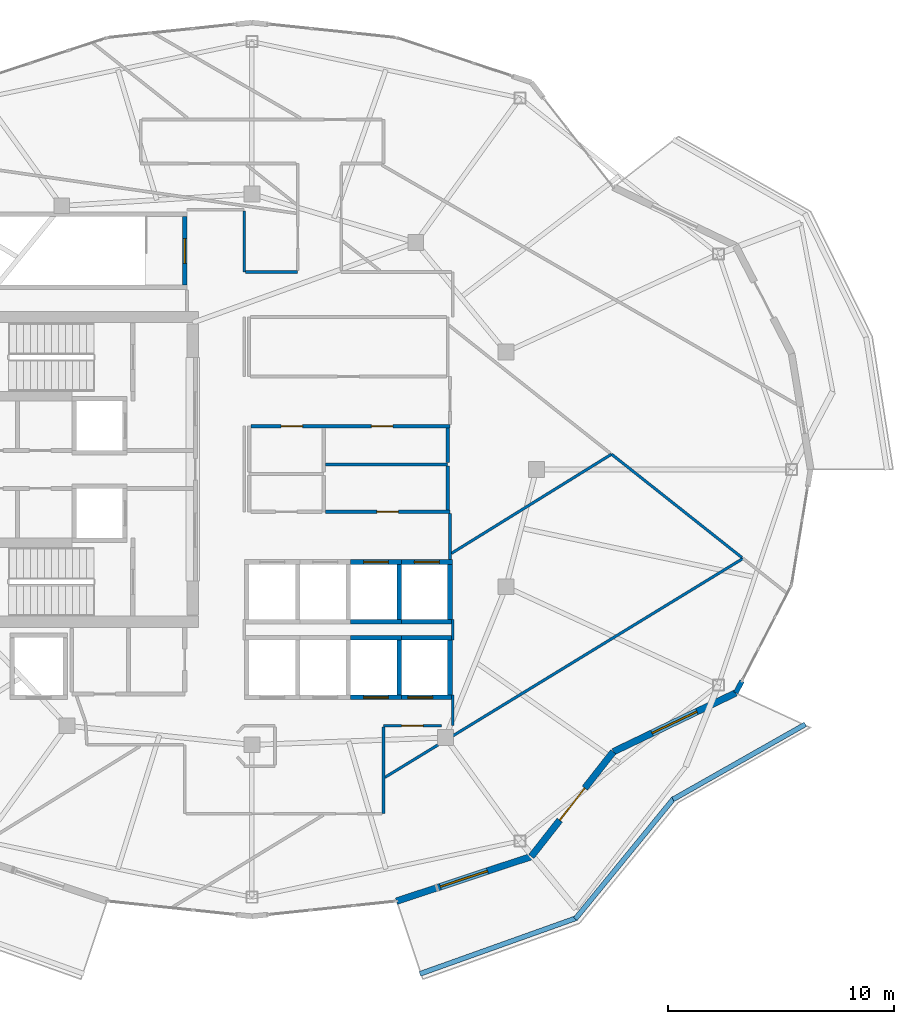
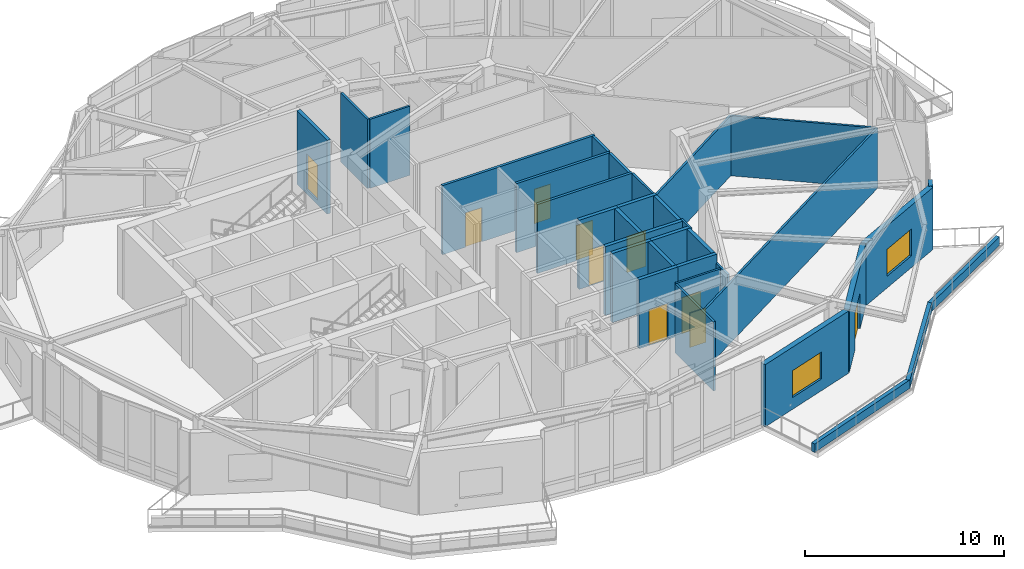
# One storey, part 11 of 15: 35 walls, 10 doors, 2 windows, 12 openings.
"""IFC4 building model written with IfcOpenShell, lengths in metres."""

from ifc_helpers import new_model, si_unit, direction, frame, frame_2d, origin, place, context, subcontext, project, spatial, rectangle, extrude, material, layer, layer_set, type_object, element, fill, save


model = new_model("IFC4")

# Units and contexts
model_context = context("Model", 3, precision=1e-05, world=origin(), true_north=direction((0.0, 1.0)))
body_context = subcontext(model_context, "Body", "Model", "MODEL_VIEW")
ifc_project = project(units=[si_unit("LENGTHUNIT", "METRE"), si_unit("AREAUNIT", "SQUARE_METRE"), si_unit("VOLUMEUNIT", "CUBIC_METRE"), si_unit("PLANEANGLEUNIT", "RADIAN"), si_unit("MASSUNIT", "GRAM", prefix="KILO")], contexts=[model_context])

# Site, building, storey
site_placement = place(None, origin())
site = spatial("IfcSite", under=ifc_project, at=site_placement, CompositionType="ELEMENT")
building_placement = place(site_placement, origin())
building = spatial("IfcBuilding", under=site, at=building_placement, Name="Kolvaren Gate Tower and Convention Centre", CompositionType="ELEMENT")
storey_placement = place(building_placement, frame((0.0, 0.0, 191.89990234375)))
storey = spatial("IfcBuildingStorey", under=building, at=storey_placement, Name="L50", CompositionType="ELEMENT", Elevation=191.89990234375)

# Walls
ifc_material_1 = material(Name="Fire-Rated Acoustic Gypsum Stud Partition", Category="gypsum")
ifc_layer_1 = layer(ifc_material_1, 0.1201171875)
ifc_layer_set_1 = layer_set([ifc_layer_1], Name="Fire-Rated Acoustic Gypsum Stud Partition")
wall_type_1 = type_object("IfcWallType", Name="ARCH-WL-PART-120", PredefinedType="PARTITIONING", material=ifc_layer_set_1)
wall_1_placement = place(storey_placement, frame((39.02001953125, 15.64990234375, 0.0), z_axis=(0.0, 0.0, 1.0), x_axis=(0.0, 1.0, 0.0)))
element("IfcWall", 1, at=wall_1_placement, inside=storey, type_object=wall_type_1, Name="Interior Partition WL-L50-INT-027", PredefinedType="PARTITIONING", context=body_context, shape_type="SweptSolid", body=[
    extrude(rectangle(XDim=1.360107421875, YDim=0.1201171875, at=frame_2d((0.68017578125, 0.0))), origin(), (0.0, 0.0, 1.0), 3.677978515625),
])
wall_2_placement = place(storey_placement, frame((39.02001953125, 19.43994140625, 0.0), z_axis=(0.0, 0.0, 1.0), x_axis=(0.0, 1.0, 0.0)))
element("IfcWall", 2, at=wall_2_placement, inside=storey, type_object=wall_type_1, Name="Interior Partition WL-L50-INT-027 (2)", PredefinedType="PARTITIONING", context=body_context, shape_type="SweptSolid", body=[
    extrude(rectangle(XDim=0.920166015625, YDim=0.1201171875, at=frame_2d((0.4599609375, 0.0))), origin(), (0.0, 0.0, 1.0), 4.22998046875),
])

# Wall, opening, door
wall_3_placement = place(storey_placement, frame((35.949951171875, 15.64990234375, 0.0), z_axis=(0.0, 0.0, 1.0), x_axis=(1.0, 0.0, 0.0)))
wall_3 = element("IfcWall", 3, at=wall_3_placement, inside=storey, type_object=wall_type_1, Name="Interior Partition WL-L50-INT-030", PredefinedType="PARTITIONING", context=body_context, shape_type="SweptSolid", body=[
    extrude(rectangle(XDim=2.568115234375, YDim=0.1201171875, at=frame_2d((1.2841796875, 0.0))), origin(), (0.0, 0.0, 1.0), 4.22998046875),
])
opening_1_placement = place(wall_3_placement, frame((0.80908203125, 0.0, 0.0)))
opening_1 = element("IfcOpeningElement", 4, at=opening_1_placement, cuts=wall_3, Name="Opening DR-01", PredefinedType="OPENING", context=body_context, shape_type="SweptSolid", body=[
    extrude(rectangle(XDim=0.949951171875, YDim=2.10009765625, at=frame_2d((0.47509765625, 1.050048828125))), frame((0.0, 0.070068359375, 0.0), z_axis=(0.0, -1.0, 0.0), x_axis=(1.0, 0.0, 0.0)), (0.0, 0.0, 1.0), 0.14013671875),
])
ifc_material_2 = material(Name="Painted Architectural Steelwork ASTM A500 Grade C 345 MPa", Category="steel")
door_type_1 = type_object("IfcDoorType", Name="ARCH-DR-RISER-950", OperationType="SINGLE_SWING_RIGHT", PredefinedType="DOOR", material=ifc_material_2)
door_1_placement = place(opening_1_placement, origin())
door_1 = element("IfcDoor", 5, at=door_1_placement, inside=storey, type_object=door_type_1, Name="Sky Syndicate Conference Room Door", OperationType="SINGLE_SWING_RIGHT", OverallHeight=2.10009765625, OverallWidth=0.949951171875, PredefinedType="DOOR", context=body_context, shape_type="SweptSolid", body=[
    extrude(rectangle(XDim=0.949951171875, YDim=2.10009765625, at=frame_2d((0.47509765625, 1.050048828125))), frame((0.0, 0.02490234375, 0.0), z_axis=(0.0, -1.0, 0.0), x_axis=(1.0, 0.0, 0.0)), (0.0, 0.0, 1.0), 0.050048828125),
])
fill(opening_1, door_1)

# Walls
wall_4_placement = place(storey_placement, frame((35.949951171875, 11.75, 0.0), z_axis=(0.0, 0.0, 1.0), x_axis=(0.0, 1.0, 0.0)))
element("IfcWall", 6, at=wall_4_placement, inside=storey, type_object=wall_type_1, Name="Interior Partition WL-L50-INT-031", PredefinedType="PARTITIONING", context=body_context, shape_type="SweptSolid", body=[
    extrude(rectangle(XDim=3.837890625, YDim=0.1201171875, at=frame_2d((1.9189453125, 0.0))), origin(), (0.0, 0.0, 1.0), 4.22998046875),
])
wall_5_placement = place(storey_placement, frame((29.780029296875, 35.75, 0.0), z_axis=(0.0, 0.0, 1.0), x_axis=(0.0, 1.0, 0.0)))
element("IfcWall", 7, at=wall_5_placement, inside=storey, type_object=wall_type_1, Name="Interior Partition WL-L50-INT-042", PredefinedType="PARTITIONING", context=body_context, shape_type="SweptSolid", body=[
    extrude(rectangle(XDim=2.68798828125, YDim=0.1201171875, at=frame_2d((1.343994140625, 0.0))), origin(), (0.0, 0.0, 1.0), 4.22998046875),
])
wall_6_placement = place(storey_placement, frame((29.842041015625, 35.75, 0.0), z_axis=(0.0, 0.0, 1.0), x_axis=(1.0, 0.0, 0.0)))
element("IfcWall", 8, at=wall_6_placement, inside=storey, type_object=wall_type_1, Name="Interior Partition WL-L50-INT-043", PredefinedType="PARTITIONING", context=body_context, shape_type="SweptSolid", body=[
    extrude(rectangle(XDim=2.307861328125, YDim=0.1201171875, at=frame_2d((1.15380859375, 0.0))), origin(), (0.0, 0.0, 1.0), 4.22998046875),
])
wall_7_placement = place(storey_placement, frame((38.89990234375, 23.02001953125, 0.0), z_axis=(0.0, 0.0, 1.0), x_axis=(0.0, 1.0, 0.0)))
element("IfcWall", 9, at=wall_7_placement, inside=storey, type_object=wall_type_1, Name="Interior Partition WL-L50-INT-051", PredefinedType="PARTITIONING", context=body_context, shape_type="SweptSolid", body=[
    extrude(rectangle(XDim=2.02294921875, YDim=0.1201171875, at=frame_2d((1.011474609375, 0.0))), origin(), (0.0, 0.0, 1.0), 4.22998046875),
])
wall_8_placement = place(storey_placement, frame((38.9619140625, 23.281494140625, 0.0), z_axis=(0.0, 0.0, 1.0), x_axis=(0.850146039188, 0.526546970415, 0.0)))
element("IfcWall", 10, at=wall_8_placement, inside=storey, type_object=wall_type_1, Name="Interior Partition WL-L50-INT-059", PredefinedType="PARTITIONING", context=body_context, shape_type="SweptSolid", body=[
    extrude(rectangle(XDim=8.344970703125, YDim=0.1201171875, at=frame_2d((4.17236328125, 0.0))), origin(), (0.0, 0.0, 1.0), 3.677978515625),
])
wall_9_placement = place(storey_placement, frame((36.011962890625, 13.35693359375, 0.0), z_axis=(0.0, 0.0, 1.0), x_axis=(0.853236403134, 0.521524343024, 0.0)))
element("IfcWall", 11, at=wall_9_placement, inside=storey, type_object=wall_type_1, Name="Interior Partition WL-L50-INT-061", PredefinedType="PARTITIONING", context=body_context, shape_type="SweptSolid", body=[
    extrude(rectangle(XDim=18.598876953125, YDim=0.1201171875, at=frame_2d((9.29931640625, 0.0))), origin(), (0.0, 0.0, 1.0), 3.677978515625),
])
wall_10_placement = place(storey_placement, frame((46.05859375, 27.672119140625, 0.0), z_axis=(0.0, 0.0, 1.0), x_axis=(0.783665181, -0.621183454455, 0.0)))
element("IfcWall", 12, at=wall_10_placement, inside=storey, type_object=wall_type_1, Name="Interior Partition WL-L50-INT-065 (2)", PredefinedType="PARTITIONING", context=body_context, shape_type="SweptSolid", body=[
    extrude(rectangle(XDim=7.364013671875, YDim=0.1201171875, at=frame_2d((3.68212890625, 0.0))), origin(), (0.0, 0.0, 1.0), 3.677978515625),
])
ifc_material_3 = material(Name="Bogota Sabana Bush-Hammered Sandstone Cladding", Category="masonry")
ifc_layer_2 = layer(ifc_material_3, 0.219970703125)
ifc_layer_set_2 = layer_set([ifc_layer_2], Name="Bogota Sabana Bush-Hammered Sandstone Cladding")
wall_type_2 = type_object("IfcWallType", Name="ARCH-WL-PIER-220", PredefinedType="SOLIDWALL", material=ifc_layer_set_2)
wall_11_placement = place(storey_placement, frame((51.55908203125, 17.10009765625, 0.0), z_axis=(0.0, 0.0, 1.0), x_axis=(0.459985611197, 0.887926369409, 0.0)))
element("IfcWall", 13, at=wall_11_placement, inside=storey, type_object=wall_type_2, Name="L50 Panoramic Structural Curtain Wall CW-22 Left Column Pier Wrap", PredefinedType="SOLIDWALL", context=body_context, shape_type="SweptSolid", body=[
    extrude(rectangle(XDim=0.601806640625, YDim=0.219970703125, at=frame_2d((0.30078125, 0.0))), origin(), (0.0, 0.0, 1.0), 3.80517578125),
])
ifc_material_4 = material(Name="Piedmont Cream Honed Limestone Cladding", Category="masonry")
ifc_layer_3 = layer(ifc_material_4, 0.219970703125)
ifc_layer_set_3 = layer_set([ifc_layer_3], Name="Piedmont Cream Honed Limestone Cladding")
wall_type_3 = type_object("IfcWallType", Name="ARCH-WL-PLANTER-220", PredefinedType="PARAPET", material=ifc_layer_set_3)
wall_12_placement = place(storey_placement, frame((37.564697265625, 4.65283203125, 0.0), z_axis=(0.0, 0.0, 1.0), x_axis=(0.941780086523, 0.336229488042, 0.0)))
element("IfcWall", 14, at=wall_12_placement, inside=storey, type_object=wall_type_3, Name="Vertical-Forest Balcony Stone Planter Kerb PK-L50-4.1", PredefinedType="PARAPET", context=body_context, shape_type="SweptSolid", body=[
    extrude(rectangle(XDim=7.3779296875, YDim=0.219970703125, at=frame_2d((3.68896484375, 0.0))), origin(), (0.0, 0.0, 1.0), 0.52001953125),
])
wall_13_placement = place(storey_placement, frame((44.4482421875, 7.087158203125, 0.0), z_axis=(0.0, 0.0, 1.0), x_axis=(0.632697312147, 0.774399193699, 0.0)))
element("IfcWall", 15, at=wall_13_placement, inside=storey, type_object=wall_type_3, Name="Vertical-Forest Balcony Stone Planter Kerb PK-L50-4.2", PredefinedType="PARAPET", context=body_context, shape_type="SweptSolid", body=[
    extrude(rectangle(XDim=6.9140625, YDim=0.219970703125, at=frame_2d((3.45703125, 0.0))), origin(), (0.0, 0.0, 1.0), 0.52001953125),
])
wall_14_placement = place(storey_placement, frame((48.7763671875, 12.38330078125, 0.0), z_axis=(0.0, 0.0, 1.0), x_axis=(0.869860619267, 0.493297580623, 0.0)))
element("IfcWall", 16, at=wall_14_placement, inside=storey, type_object=wall_type_3, Name="Vertical-Forest Balcony Stone Planter Kerb PK-L50-4.3", PredefinedType="PARAPET", context=body_context, shape_type="SweptSolid", body=[
    extrude(rectangle(XDim=6.74267578125, YDim=0.219970703125, at=frame_2d((3.371337890625, 0.0))), origin(), (0.0, 0.0, 1.0), 0.52001953125),
])
ifc_material_5 = material(Name="Autoclaved Aerated Masonry Blockwork Class 4 (4.0 MPa)", Category="masonry")
ifc_layer_4 = layer(ifc_material_5, 0.199951171875)
ifc_layer_set_4 = layer_set([ifc_layer_4], Name="Autoclaved Aerated Masonry Blockwork Class 4 (4.0 MPa)")
wall_type_4 = type_object("IfcWallType", Name="ARCH-WL-SHAFT-200", PredefinedType="SOLIDWALL", material=ifc_layer_set_4)
wall_15_placement = place(storey_placement, frame((34.5, 19.550048828125, 0.0), z_axis=(0.0, 0.0, 1.0), x_axis=(1.0, 0.0, 0.0)))
element("IfcWall", 17, at=wall_15_placement, inside=storey, type_object=wall_type_4, Name="Elevator PL-07 L50 Fire Shaft Wall N", PredefinedType="SOLIDWALL", context=body_context, shape_type="SweptSolid", body=[
    extrude(rectangle(XDim=2.25, YDim=0.199951171875, at=frame_2d((1.125, 0.0))), origin(), (0.0, 0.0, 1.0), 4.22998046875),
])

# Wall, opening, door
wall_16_placement = place(storey_placement, frame((34.5, 16.89990234375, 0.0), z_axis=(0.0, 0.0, 1.0), x_axis=(1.0, 0.0, 0.0)))
wall_16 = element("IfcWall", 18, at=wall_16_placement, inside=storey, type_object=wall_type_4, Name="Elevator PL-07 L50 Fire Shaft Wall S", PredefinedType="SOLIDWALL", context=body_context, shape_type="SweptSolid", body=[
    extrude(rectangle(XDim=2.25, YDim=0.199951171875, at=frame_2d((1.125, 0.0))), origin(), (0.0, 0.0, 1.0), 4.22998046875),
])
opening_2_placement = place(wall_16_placement, frame((0.574951171875, 0.0, 0.0)))
opening_2 = element("IfcOpeningElement", 19, at=opening_2_placement, cuts=wall_16, Name="Opening LD", PredefinedType="OPENING", context=body_context, shape_type="SweptSolid", body=[
    extrude(rectangle(XDim=1.10009765625, YDim=2.199951171875, at=frame_2d((0.550048828125, 1.10009765625))), frame((0.0, 0.10986328125, 0.0), z_axis=(0.0, -1.0, 0.0), x_axis=(1.0, 0.0, 0.0)), (0.0, 0.0, 1.0), 0.219970703125),
])
ifc_material_6 = material(Name="Brushed Stainless Steel Grade 316L", Category="steel")
door_type_2 = type_object("IfcDoorType", Name="ARCH-DR-LIFT-1100", OperationType="SLIDING_TO_LEFT", PredefinedType="DOOR", material=ifc_material_6)
door_2_placement = place(opening_2_placement, origin())
door_2 = element("IfcDoor", 20, at=door_2_placement, inside=storey, type_object=door_type_2, Name="Elevator PL-07 L50 Sliding Landing Door", OperationType="SLIDING_TO_LEFT", OverallHeight=2.199951171875, OverallWidth=1.10009765625, PredefinedType="DOOR", context=body_context, shape_type="SweptSolid", body=[
    extrude(rectangle(XDim=1.10009765625, YDim=2.199951171875, at=frame_2d((0.550048828125, 1.10009765625))), frame((0.0, 0.02490234375, 0.0), z_axis=(0.0, -1.0, 0.0), x_axis=(1.0, 0.0, 0.0)), (0.0, 0.0, 1.0), 0.050048828125),
])
fill(opening_2, door_2)

# Walls
wall_17_placement = place(storey_placement, frame((36.64990234375, 17.010009765625, 0.0), z_axis=(0.0, 0.0, 1.0), x_axis=(0.0, 1.0, 0.0)))
element("IfcWall", 21, at=wall_17_placement, inside=storey, type_object=wall_type_4, Name="Elevator PL-07 L50 Fire Shaft Wall E", PredefinedType="SOLIDWALL", context=body_context, shape_type="SweptSolid", body=[
    extrude(rectangle(XDim=2.429931640625, YDim=0.199951171875, at=frame_2d((1.21484375, 0.0))), origin(), (0.0, 0.0, 1.0), 4.22998046875),
])
wall_18_placement = place(storey_placement, frame((36.75, 19.550048828125, 0.0), z_axis=(0.0, 0.0, 1.0), x_axis=(1.0, 0.0, 0.0)))
element("IfcWall", 22, at=wall_18_placement, inside=storey, type_object=wall_type_4, Name="Elevator PL-08 L50 Fire Shaft Wall N", PredefinedType="SOLIDWALL", context=body_context, shape_type="SweptSolid", body=[
    extrude(rectangle(XDim=2.25, YDim=0.199951171875, at=frame_2d((1.125, 0.0))), origin(), (0.0, 0.0, 1.0), 4.22998046875),
])

# Wall, opening, door
wall_19_placement = place(storey_placement, frame((36.75, 16.89990234375, 0.0), z_axis=(0.0, 0.0, 1.0), x_axis=(1.0, 0.0, 0.0)))
wall_19 = element("IfcWall", 23, at=wall_19_placement, inside=storey, type_object=wall_type_4, Name="Elevator PL-08 L50 Fire Shaft Wall S", PredefinedType="SOLIDWALL", context=body_context, shape_type="SweptSolid", body=[
    extrude(rectangle(XDim=2.25, YDim=0.199951171875, at=frame_2d((1.125, 0.0))), origin(), (0.0, 0.0, 1.0), 4.22998046875),
])
opening_3_placement = place(wall_19_placement, frame((0.280029296875, 0.0, 0.0)))
opening_3 = element("IfcOpeningElement", 24, at=opening_3_placement, cuts=wall_19, Name="Opening LD", PredefinedType="OPENING", context=body_context, shape_type="SweptSolid", body=[
    extrude(rectangle(XDim=1.10009765625, YDim=2.199951171875, at=frame_2d((0.550048828125, 1.10009765625))), frame((0.0, 0.10986328125, 0.0), z_axis=(0.0, -1.0, 0.0), x_axis=(1.0, 0.0, 0.0)), (0.0, 0.0, 1.0), 0.219970703125),
])
door_3_placement = place(opening_3_placement, origin())
door_3 = element("IfcDoor", 25, at=door_3_placement, inside=storey, type_object=door_type_2, Name="Elevator PL-08 L50 Sliding Landing Door", OperationType="SLIDING_TO_LEFT", OverallHeight=2.199951171875, OverallWidth=1.10009765625, PredefinedType="DOOR", context=body_context, shape_type="SweptSolid", body=[
    extrude(rectangle(XDim=1.10009765625, YDim=2.199951171875, at=frame_2d((0.550048828125, 1.10009765625))), frame((0.0, 0.02490234375, 0.0), z_axis=(0.0, -1.0, 0.0), x_axis=(1.0, 0.0, 0.0)), (0.0, 0.0, 1.0), 0.050048828125),
])
fill(opening_3, door_3)

# Wall
wall_20_placement = place(storey_placement, frame((38.89990234375, 17.010009765625, 0.0), z_axis=(0.0, 0.0, 1.0), x_axis=(0.0, 1.0, 0.0)))
element("IfcWall", 26, at=wall_20_placement, inside=storey, type_object=wall_type_4, Name="Elevator PL-08 L50 Fire Shaft Wall E", PredefinedType="SOLIDWALL", context=body_context, shape_type="SweptSolid", body=[
    extrude(rectangle(XDim=2.429931640625, YDim=0.199951171875, at=frame_2d((1.21484375, 0.0))), origin(), (0.0, 0.0, 1.0), 4.22998046875),
])

# Wall, opening, door
wall_21_placement = place(storey_placement, frame((34.5, 22.89990234375, 0.0), z_axis=(0.0, 0.0, 1.0), x_axis=(1.0, 0.0, 0.0)))
wall_21 = element("IfcWall", 27, at=wall_21_placement, inside=storey, type_object=wall_type_4, Name="Elevator PL-11 L50 Fire Shaft Wall N", PredefinedType="SOLIDWALL", context=body_context, shape_type="SweptSolid", body=[
    extrude(rectangle(XDim=2.25, YDim=0.199951171875, at=frame_2d((1.125, 0.0))), origin(), (0.0, 0.0, 1.0), 4.22998046875),
])
opening_4_placement = place(wall_21_placement, frame((0.574951171875, 0.0, 0.0)))
opening_4 = element("IfcOpeningElement", 28, at=opening_4_placement, cuts=wall_21, Name="Opening LD", PredefinedType="OPENING", context=body_context, shape_type="SweptSolid", body=[
    extrude(rectangle(XDim=1.10009765625, YDim=2.199951171875, at=frame_2d((0.550048828125, 1.10009765625))), frame((0.0, 0.10986328125, 0.0), z_axis=(0.0, -1.0, 0.0), x_axis=(1.0, 0.0, 0.0)), (0.0, 0.0, 1.0), 0.219970703125),
])
door_4_placement = place(opening_4_placement, origin())
door_4 = element("IfcDoor", 29, at=door_4_placement, inside=storey, type_object=door_type_2, Name="Elevator PL-11 L50 Sliding Landing Door", OperationType="SLIDING_TO_LEFT", OverallHeight=2.199951171875, OverallWidth=1.10009765625, PredefinedType="DOOR", context=body_context, shape_type="SweptSolid", body=[
    extrude(rectangle(XDim=1.10009765625, YDim=2.199951171875, at=frame_2d((0.550048828125, 1.10009765625))), frame((0.0, 0.02490234375, 0.0), z_axis=(0.0, -1.0, 0.0), x_axis=(1.0, 0.0, 0.0)), (0.0, 0.0, 1.0), 0.050048828125),
])
fill(opening_4, door_4)

# Walls
wall_22_placement = place(storey_placement, frame((34.5, 20.25, 0.0), z_axis=(0.0, 0.0, 1.0), x_axis=(1.0, 0.0, 0.0)))
element("IfcWall", 30, at=wall_22_placement, inside=storey, type_object=wall_type_4, Name="Elevator PL-11 L50 Fire Shaft Wall S", PredefinedType="SOLIDWALL", context=body_context, shape_type="SweptSolid", body=[
    extrude(rectangle(XDim=2.25, YDim=0.199951171875, at=frame_2d((1.125, 0.0))), origin(), (0.0, 0.0, 1.0), 4.22998046875),
])
wall_23_placement = place(storey_placement, frame((36.64990234375, 20.360107421875, 0.0), z_axis=(0.0, 0.0, 1.0), x_axis=(0.0, 1.0, 0.0)))
element("IfcWall", 31, at=wall_23_placement, inside=storey, type_object=wall_type_4, Name="Elevator PL-11 L50 Fire Shaft Wall E", PredefinedType="SOLIDWALL", context=body_context, shape_type="SweptSolid", body=[
    extrude(rectangle(XDim=2.429931640625, YDim=0.199951171875, at=frame_2d((1.21484375, 0.0))), origin(), (0.0, 0.0, 1.0), 4.22998046875),
])

# Wall, opening, door
wall_24_placement = place(storey_placement, frame((36.75, 22.89990234375, 0.0), z_axis=(0.0, 0.0, 1.0), x_axis=(1.0, 0.0, 0.0)))
wall_24 = element("IfcWall", 32, at=wall_24_placement, inside=storey, type_object=wall_type_4, Name="Elevator PL-12 L50 Fire Shaft Wall N", PredefinedType="SOLIDWALL", context=body_context, shape_type="SweptSolid", body=[
    extrude(rectangle(XDim=2.25, YDim=0.199951171875, at=frame_2d((1.125, 0.0))), origin(), (0.0, 0.0, 1.0), 4.22998046875),
])
opening_5_placement = place(wall_24_placement, frame((0.574951171875, 0.0, 0.0)))
opening_5 = element("IfcOpeningElement", 33, at=opening_5_placement, cuts=wall_24, Name="Opening LD", PredefinedType="OPENING", context=body_context, shape_type="SweptSolid", body=[
    extrude(rectangle(XDim=1.10009765625, YDim=2.199951171875, at=frame_2d((0.550048828125, 1.10009765625))), frame((0.0, 0.10986328125, 0.0), z_axis=(0.0, -1.0, 0.0), x_axis=(1.0, 0.0, 0.0)), (0.0, 0.0, 1.0), 0.219970703125),
])
door_5_placement = place(opening_5_placement, origin())
door_5 = element("IfcDoor", 34, at=door_5_placement, inside=storey, type_object=door_type_2, Name="Elevator PL-12 L50 Sliding Landing Door", OperationType="SLIDING_TO_LEFT", OverallHeight=2.199951171875, OverallWidth=1.10009765625, PredefinedType="DOOR", context=body_context, shape_type="SweptSolid", body=[
    extrude(rectangle(XDim=1.10009765625, YDim=2.199951171875, at=frame_2d((0.550048828125, 1.10009765625))), frame((0.0, 0.02490234375, 0.0), z_axis=(0.0, -1.0, 0.0), x_axis=(1.0, 0.0, 0.0)), (0.0, 0.0, 1.0), 0.050048828125),
])
fill(opening_5, door_5)

# Walls
wall_25_placement = place(storey_placement, frame((36.75, 20.25, 0.0), z_axis=(0.0, 0.0, 1.0), x_axis=(1.0, 0.0, 0.0)))
element("IfcWall", 35, at=wall_25_placement, inside=storey, type_object=wall_type_4, Name="Elevator PL-12 L50 Fire Shaft Wall S", PredefinedType="SOLIDWALL", context=body_context, shape_type="SweptSolid", body=[
    extrude(rectangle(XDim=2.25, YDim=0.199951171875, at=frame_2d((1.125, 0.0))), origin(), (0.0, 0.0, 1.0), 4.22998046875),
])
wall_26_placement = place(storey_placement, frame((38.89990234375, 20.360107421875, 0.0), z_axis=(0.0, 0.0, 1.0), x_axis=(0.0, 1.0, 0.0)))
element("IfcWall", 36, at=wall_26_placement, inside=storey, type_object=wall_type_4, Name="Elevator PL-12 L50 Fire Shaft Wall E", PredefinedType="SOLIDWALL", context=body_context, shape_type="SweptSolid", body=[
    extrude(rectangle(XDim=2.429931640625, YDim=0.199951171875, at=frame_2d((1.21484375, 0.0))), origin(), (0.0, 0.0, 1.0), 4.22998046875),
])

# Wall, opening, window
ifc_layer_5 = layer(ifc_material_4, 0.300048828125)
ifc_layer_set_5 = layer_set([ifc_layer_5], Name="Piedmont Cream Honed Limestone Cladding")
wall_type_5 = type_object("IfcWallType", Name="ARCH-WL-STONE-300", PredefinedType="SOLIDWALL", material=ifc_layer_set_5)
wall_27_placement = place(storey_placement, frame((36.53076171875, 7.874755859375, 0.0), z_axis=(0.0, 0.0, 1.0), x_axis=(0.949240877604, 0.314550085495, 0.0)))
wall_27 = element("IfcWall", 37, at=wall_27_placement, inside=storey, type_object=wall_type_5, Name="Tower L50 Honed Stone Spandrel Wall EW-19", PredefinedType="SOLIDWALL", context=body_context, shape_type="SweptSolid", body=[
    extrude(rectangle(XDim=6.288330078125, YDim=0.300048828125, at=frame_2d((3.14404296875, 0.0))), origin(), (0.0, 0.0, 1.0), 3.80517578125),
])
opening_6_placement = place(wall_27_placement, frame((2.0439453125, 0.0, 0.719970703125)))
opening_6 = element("IfcOpeningElement", 38, at=opening_6_placement, cuts=wall_27, Name="Opening W-03", PredefinedType="OPENING", context=body_context, shape_type="SweptSolid", body=[
    extrude(rectangle(XDim=2.199951171875, YDim=1.64990234375, at=frame_2d((1.10009765625, 0.824951171875))), frame((0.0, 0.159912109375, 0.0), z_axis=(0.0, -1.0, 0.0), x_axis=(1.0, 0.0, 0.0)), (0.0, 0.0, 1.0), 0.320068359375),
])
ifc_material_7 = material(Name="Low-E Triple Insulated Glazing Unit 44 mm", Category="glass")
window_type = type_object("IfcWindowType", Name="ARCH-WN-RES-2200", PartitioningType="SINGLE_PANEL", PredefinedType="WINDOW", material=ifc_material_7)
window_1_placement = place(opening_6_placement, origin())
window_1 = element("IfcWindow", 39, at=window_1_placement, inside=storey, type_object=window_type, Name="Tower L50 Punched Stone Facade Window W-19", OverallHeight=1.64990234375, OverallWidth=2.199951171875, PartitioningType="SINGLE_PANEL", PredefinedType="WINDOW", context=body_context, shape_type="SweptSolid", body=[
    extrude(rectangle(XDim=2.199951171875, YDim=1.64990234375, at=frame_2d((1.10009765625, 0.824951171875))), frame((0.0, 0.030029296875, 0.0), z_axis=(0.0, -1.0, 0.0), x_axis=(1.0, 0.0, 0.0)), (0.0, 0.0, 1.0), 0.06005859375),
])
fill(opening_6, window_1)

# Wall, opening, door
wall_28_placement = place(storey_placement, frame((42.5, 9.852783203125, 0.0), z_axis=(0.0, 0.0, 1.0), x_axis=(0.616450126935, 0.787393955401, 0.0)))
wall_28 = element("IfcWall", 40, at=wall_28_placement, inside=storey, type_object=wall_type_5, Name="Tower L50 Honed Stone Spandrel Wall EW-20", PredefinedType="SOLIDWALL", context=body_context, shape_type="SweptSolid", body=[
    extrude(rectangle(XDim=5.892822265625, YDim=0.300048828125, at=frame_2d((2.9462890625, 0.0))), origin(), (0.0, 0.0, 1.0), 3.80517578125),
])
opening_7_placement = place(wall_28_placement, frame((2.0458984375, 0.0, 0.0)))
opening_7 = element("IfcOpeningElement", 41, at=opening_7_placement, cuts=wall_28, Name="Opening DB-01", PredefinedType="OPENING", context=body_context, shape_type="SweptSolid", body=[
    extrude(rectangle(XDim=1.800048828125, YDim=2.25, at=frame_2d((0.89990234375, 1.125))), frame((0.0, 0.159912109375, 0.0), z_axis=(0.0, -1.0, 0.0), x_axis=(1.0, 0.0, 0.0)), (0.0, 0.0, 1.0), 0.320068359375),
])
ifc_material_8 = material(Name="Anodized Architectural Aluminium Alloy 6063-T6", Category="aluminium")
door_type_3 = type_object("IfcDoorType", Name="ARCH-DR-BALC-1800", OperationType="SLIDING_TO_LEFT", PredefinedType="DOOR", material=ifc_material_8)
door_6_placement = place(opening_7_placement, frame((1.800048828125, 0.0, 0.0), z_axis=(0.0, 0.0, 1.0), x_axis=(-1.0, 0.0, 0.0)))
door_6 = element("IfcDoor", 42, at=door_6_placement, inside=storey, type_object=door_type_3, Name="Planted Sky Terrace Access Door DB-L50-20", OperationType="SLIDING_TO_LEFT", OverallHeight=2.25, OverallWidth=1.800048828125, PredefinedType="DOOR", context=body_context, shape_type="SweptSolid", body=[
    extrude(rectangle(XDim=1.800048828125, YDim=2.25, at=frame_2d((0.89990234375, 1.125))), frame((0.0, 0.02490234375, 0.0), z_axis=(0.0, -1.0, 0.0), x_axis=(1.0, 0.0, 0.0)), (0.0, 0.0, 1.0), 0.050048828125),
])
fill(opening_7, door_6)

# Wall, opening, window
wall_29_placement = place(storey_placement, frame((46.132568359375, 14.49267578125, 0.0), z_axis=(0.0, 0.0, 1.0), x_axis=(0.901348331142, 0.433094892545, 0.0)))
wall_29 = element("IfcWall", 43, at=wall_29_placement, inside=storey, type_object=wall_type_5, Name="Tower L50 Honed Stone Spandrel Wall EW-21", PredefinedType="SOLIDWALL", context=body_context, shape_type="SweptSolid", body=[
    extrude(rectangle(XDim=6.0205078125, YDim=0.300048828125, at=frame_2d((3.01025390625, 0.0))), origin(), (0.0, 0.0, 1.0), 3.80517578125),
])
opening_8_placement = place(wall_29_placement, frame((1.909912109375, 0.0, 0.719970703125)))
opening_8 = element("IfcOpeningElement", 44, at=opening_8_placement, cuts=wall_29, Name="Opening W-03", PredefinedType="OPENING", context=body_context, shape_type="SweptSolid", body=[
    extrude(rectangle(XDim=2.199951171875, YDim=1.64990234375, at=frame_2d((1.10009765625, 0.824951171875))), frame((0.0, 0.159912109375, 0.0), z_axis=(0.0, -1.0, 0.0), x_axis=(1.0, 0.0, 0.0)), (0.0, 0.0, 1.0), 0.320068359375),
])
window_2_placement = place(opening_8_placement, origin())
window_2 = element("IfcWindow", 45, at=window_2_placement, inside=storey, type_object=window_type, Name="Tower L50 Punched Stone Facade Window W-21", OverallHeight=1.64990234375, OverallWidth=2.199951171875, PartitioningType="SINGLE_PANEL", PredefinedType="WINDOW", context=body_context, shape_type="SweptSolid", body=[
    extrude(rectangle(XDim=2.199951171875, YDim=1.64990234375, at=frame_2d((1.10009765625, 0.824951171875))), frame((0.0, 0.030029296875, 0.0), z_axis=(0.0, -1.0, 0.0), x_axis=(1.0, 0.0, 0.0)), (0.0, 0.0, 1.0), 0.06005859375),
])
fill(opening_8, window_2)

# Wall, openings, doors
ifc_material_9 = material(Name="Moisture-Resistant Cement-Board Acoustic Partition", Category="gypsum")
ifc_layer_6 = layer(ifc_material_9, 0.14990234375)
ifc_layer_set_6 = layer_set([ifc_layer_6], Name="Moisture-Resistant Cement-Board Acoustic Partition")
wall_type_6 = type_object("IfcWallType", Name="ARCH-WL-WET-150", PredefinedType="PARTITIONING", material=ifc_layer_set_6)
wall_30_placement = place(storey_placement, frame((30.076904296875, 28.919921875, 0.0), z_axis=(0.0, 0.0, 1.0), x_axis=(1.0, 0.0, 0.0)))
wall_30 = element("IfcWall", 46, at=wall_30_placement, inside=storey, type_object=wall_type_6, Name="Interior Partition WL-L50-INT-019", PredefinedType="PARTITIONING", context=body_context, shape_type="SweptSolid", body=[
    extrude(rectangle(XDim=8.822998046875, YDim=0.14990234375, at=frame_2d((4.41162109375, 0.0))), origin(), (0.0, 0.0, 1.0), 4.22998046875),
])
opening_9_placement = place(wall_30_placement, frame((1.341552734375, 0.0, 0.0)))
opening_9 = element("IfcOpeningElement", 47, at=opening_9_placement, cuts=wall_30, Name="Opening DR-01", PredefinedType="OPENING", context=body_context, shape_type="SweptSolid", body=[
    extrude(rectangle(XDim=0.949951171875, YDim=2.10009765625, at=frame_2d((0.47509765625, 1.050048828125))), frame((0.0, 0.0849609375, 0.0), z_axis=(0.0, -1.0, 0.0), x_axis=(1.0, 0.0, 0.0)), (0.0, 0.0, 1.0), 0.169921875),
])
opening_10_placement = place(wall_30_placement, frame((5.343017578125, 0.0, 0.0)))
opening_10 = element("IfcOpeningElement", 48, at=opening_10_placement, cuts=wall_30, Name="Opening DR-01", PredefinedType="OPENING", context=body_context, shape_type="SweptSolid", body=[
    extrude(rectangle(XDim=0.949951171875, YDim=2.10009765625, at=frame_2d((0.47509765625, 1.050048828125))), frame((0.0, 0.0849609375, 0.0), z_axis=(0.0, -1.0, 0.0), x_axis=(1.0, 0.0, 0.0)), (0.0, 0.0, 1.0), 0.169921875),
])
door_7_placement = place(opening_9_placement, origin())
door_7 = element("IfcDoor", 49, at=door_7_placement, inside=storey, type_object=door_type_1, Name="Accessible North Washroom Door", OperationType="SINGLE_SWING_RIGHT", OverallHeight=2.10009765625, OverallWidth=0.949951171875, PredefinedType="DOOR", context=body_context, shape_type="SweptSolid", body=[
    extrude(rectangle(XDim=0.949951171875, YDim=2.10009765625, at=frame_2d((0.47509765625, 1.050048828125))), frame((0.0, 0.02490234375, 0.0), z_axis=(0.0, -1.0, 0.0), x_axis=(1.0, 0.0, 0.0)), (0.0, 0.0, 1.0), 0.050048828125),
])
fill(opening_9, door_7)
door_8_placement = place(opening_10_placement, origin())
door_8 = element("IfcDoor", 50, at=door_8_placement, inside=storey, type_object=door_type_1, Name="Floor Janitor and Supply Store Door", OperationType="SINGLE_SWING_RIGHT", OverallHeight=2.10009765625, OverallWidth=0.949951171875, PredefinedType="DOOR", context=body_context, shape_type="SweptSolid", body=[
    extrude(rectangle(XDim=0.949951171875, YDim=2.10009765625, at=frame_2d((0.47509765625, 1.050048828125))), frame((0.0, 0.02490234375, 0.0), z_axis=(0.0, -1.0, 0.0), x_axis=(1.0, 0.0, 0.0)), (0.0, 0.0, 1.0), 0.050048828125),
])
fill(opening_10, door_8)

# Wall, opening, door
wall_31_placement = place(storey_placement, frame((33.376953125, 25.1201171875, 0.0), z_axis=(0.0, 0.0, 1.0), x_axis=(1.0, 0.0, 0.0)))
wall_31 = element("IfcWall", 51, at=wall_31_placement, inside=storey, type_object=wall_type_6, Name="Interior Partition WL-L50-INT-021 (2)", PredefinedType="PARTITIONING", context=body_context, shape_type="SweptSolid", body=[
    extrude(rectangle(XDim=5.52294921875, YDim=0.14990234375, at=frame_2d((2.761474609375, 0.0))), origin(), (0.0, 0.0, 1.0), 4.22998046875),
])
opening_11_placement = place(wall_31_placement, frame((2.28662109375, 0.0, 0.0)))
opening_11 = element("IfcOpeningElement", 52, at=opening_11_placement, cuts=wall_31, Name="Opening DR-01", PredefinedType="OPENING", context=body_context, shape_type="SweptSolid", body=[
    extrude(rectangle(XDim=0.949951171875, YDim=2.10009765625, at=frame_2d((0.47509765625, 1.050048828125))), frame((0.0, 0.0849609375, 0.0), z_axis=(0.0, -1.0, 0.0), x_axis=(1.0, 0.0, 0.0)), (0.0, 0.0, 1.0), 0.169921875),
])
door_9_placement = place(opening_11_placement, origin())
door_9 = element("IfcDoor", 53, at=door_9_placement, inside=storey, type_object=door_type_1, Name="Floor Coffee Pantry Door", OperationType="SINGLE_SWING_LEFT", OverallHeight=2.10009765625, OverallWidth=0.949951171875, PredefinedType="DOOR", context=body_context, shape_type="SweptSolid", body=[
    extrude(rectangle(XDim=0.949951171875, YDim=2.10009765625, at=frame_2d((0.47509765625, 1.050048828125))), frame((0.0, 0.02490234375, 0.0), z_axis=(0.0, -1.0, 0.0), x_axis=(1.0, 0.0, 0.0)), (0.0, 0.0, 1.0), 0.050048828125),
])
fill(opening_11, door_9)

# Walls
wall_32_placement = place(storey_placement, frame((33.376953125, 27.219970703125, 0.0), z_axis=(0.0, 0.0, 1.0), x_axis=(1.0, 0.0, 0.0)))
element("IfcWall", 54, at=wall_32_placement, inside=storey, type_object=wall_type_6, Name="Interior Partition WL-L50-INT-022", PredefinedType="PARTITIONING", context=body_context, shape_type="SweptSolid", body=[
    extrude(rectangle(XDim=5.423095703125, YDim=0.14990234375, at=frame_2d((2.71142578125, 0.0))), origin(), (0.0, 0.0, 1.0), 4.22998046875),
])
wall_33_placement = place(storey_placement, frame((38.800048828125, 25.197021484375, 0.0), z_axis=(0.0, 0.0, 1.0), x_axis=(0.0, 1.0, 0.0)))
element("IfcWall", 55, at=wall_33_placement, inside=storey, type_object=wall_type_6, Name="Interior Partition WL-L50-INT-023", PredefinedType="PARTITIONING", context=body_context, shape_type="SweptSolid", body=[
    extrude(rectangle(XDim=1.946044921875, YDim=0.14990234375, at=frame_2d((0.97314453125, 0.0))), origin(), (0.0, 0.0, 1.0), 4.22998046875),
])
wall_34_placement = place(storey_placement, frame((38.800048828125, 27.297119140625, 0.0), z_axis=(0.0, 0.0, 1.0), x_axis=(0.0, 1.0, 0.0)))
element("IfcWall", 56, at=wall_34_placement, inside=storey, type_object=wall_type_6, Name="Interior Partition WL-L50-INT-023 (2)", PredefinedType="PARTITIONING", context=body_context, shape_type="SweptSolid", body=[
    extrude(rectangle(XDim=1.5458984375, YDim=0.14990234375, at=frame_2d((0.77294921875, 0.0))), origin(), (0.0, 0.0, 1.0), 4.22998046875),
])

# Wall, opening, door
ifc_material_10 = material(Name="Concrete C50/60", Category="concrete")
ifc_layer_7 = layer(ifc_material_10, 0.199951171875)
ifc_layer_set_7 = layer_set([ifc_layer_7], Name="Concrete C50/60")
wall_type_7 = type_object("IfcWallType", Name="STR-WL-SHAFT-200", PredefinedType="SHEAR", material=ifc_layer_set_7)
wall_35_placement = place(storey_placement, frame((27.14990234375, 35.159912109375, -0.27978515625), z_axis=(0.0, 0.0, 1.0), x_axis=(0.0, 1.0, 0.0)))
wall_35 = element("IfcWall", 57, at=wall_35_placement, inside=storey, type_object=wall_type_7, Name="Tower Mid-Zone Exit Stair ST-T3 L50 Structural Shear Enclosure Wall NEAR", PredefinedType="SHEAR", context=body_context, shape_type="SweptSolid", body=[
    extrude(rectangle(XDim=3.0400390625, YDim=0.199951171875, at=frame_2d((1.52001953125, 0.0))), origin(), (0.0, 0.0, 1.0), 4.509765625),
])
opening_12_placement = place(wall_35_placement, frame((0.969970703125, 0.0, 0.280029296875)))
opening_12 = element("IfcOpeningElement", 58, at=opening_12_placement, cuts=wall_35, Name="Opening DS-01", PredefinedType="OPENING", context=body_context, shape_type="SweptSolid", body=[
    extrude(rectangle(XDim=1.10009765625, YDim=2.14990234375, at=frame_2d((0.550048828125, 1.074951171875))), frame((0.0, 0.10986328125, 0.0), z_axis=(0.0, -1.0, 0.0), x_axis=(1.0, 0.0, 0.0)), (0.0, 0.0, 1.0), 0.219970703125),
])
door_type_4 = type_object("IfcDoorType", Name="ARCH-DR-STAIR-1100", OperationType="SINGLE_SWING_LEFT", PredefinedType="DOOR", material=ifc_material_2)
door_10_placement = place(opening_12_placement, origin())
door_10 = element("IfcDoor", 59, at=door_10_placement, inside=storey, type_object=door_type_4, Name="Tower Mid-Zone Exit Stair ST-T3 L50 Fire Exit Stair Door", OperationType="SINGLE_SWING_RIGHT", OverallHeight=2.14990234375, OverallWidth=1.10009765625, PredefinedType="DOOR", context=body_context, shape_type="SweptSolid", body=[
    extrude(rectangle(XDim=1.10009765625, YDim=2.14990234375, at=frame_2d((0.550048828125, 1.074951171875))), frame((0.0, 0.02490234375, 0.0), z_axis=(0.0, -1.0, 0.0), x_axis=(1.0, 0.0, 0.0)), (0.0, 0.0, 1.0), 0.050048828125),
])
fill(opening_12, door_10)

save(model, "model.ifc")
